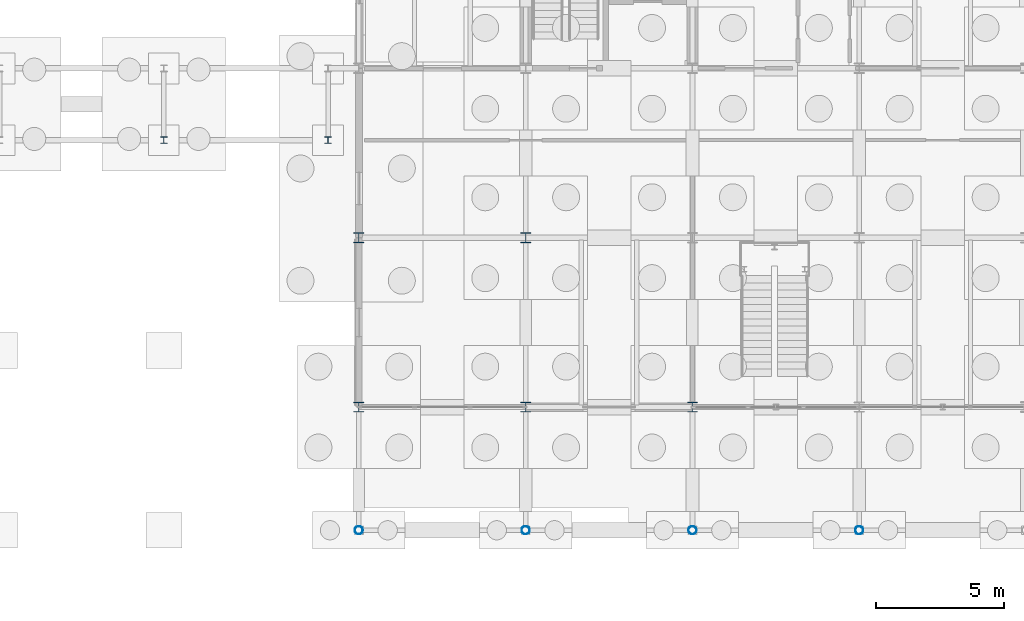
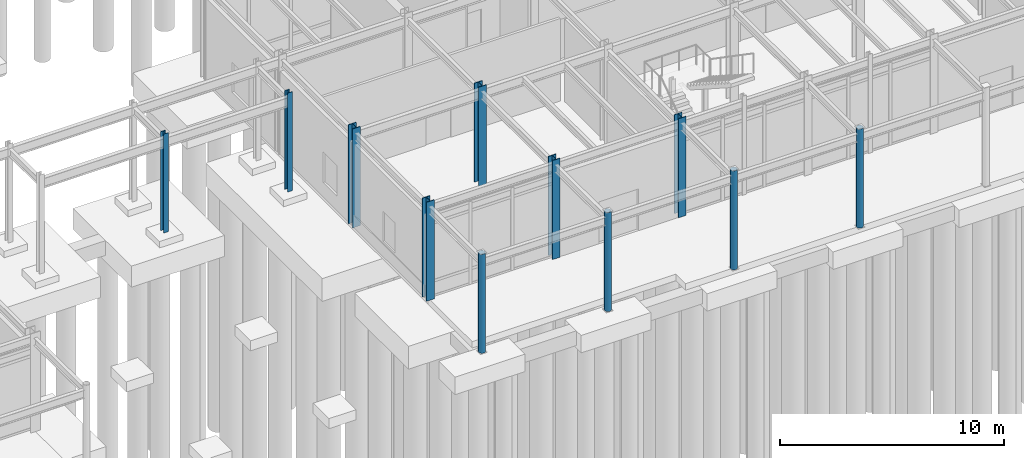
# One storey, part 15 of 82: 11 columns.
"""IFC4 building model written with IfcOpenShell, lengths in metres."""

import ifcopenshell
import ifcopenshell.guid

model = None  # the IFC model being written
_history = None  # IfcOwnerHistory: only IFC2X3 demands one
_inside = {}  # id of a spatial element -> (the spatial element, [elements in it])
_under = {}  # id of a project, library or spatial element -> (it, [spatial elements below it])
_declared = {}  # id of a project -> (the project, [libraries it declares])
_typed = {}  # id of a type object -> (the type object, [elements of that type])
_made_of = {}  # id of a material, layer set ... -> (it, [elements and type objects made of it])


def new_model(schema):
    """Start an empty IFC model of exactly this schema.

    Asked for "IFC4X3", IfcOpenShell would pick the latest addendum, in which some entities
    have other attributes; the version numbers below select the first issue.
    IFC2X3 requires an IfcOwnerHistory on every rooted entity: one is made here for all.
    """
    global model, _history
    if schema == "IFC4X3":
        model = ifcopenshell.file(schema_version=(4, 3, 0, 0))
    else:
        model = ifcopenshell.file(schema=schema)
    _inside.clear()
    _under.clear()
    _declared.clear()
    _typed.clear()
    _made_of.clear()
    _history = None
    if model.schema == "IFC2X3":
        org = make("IfcOrganization", Name="unknown")
        user = make(
            "IfcPersonAndOrganization",
            ThePerson=make("IfcPerson", FamilyName="unknown"),
            TheOrganization=org,
        )
        app = make(
            "IfcApplication",
            ApplicationDeveloper=org,
            Version="unknown",
            ApplicationFullName="unknown",
            ApplicationIdentifier="unknown",
        )
        _history = make(
            "IfcOwnerHistory",
            OwningUser=user,
            OwningApplication=app,
            ChangeAction="ADDED",
            CreationDate=0,
        )
    return model


def make(cls, **values):
    """One entity of the class cls with the attributes given. An attribute that is None is left unset."""
    return model.create_entity(
        cls, **{name: value for name, value in values.items() if value is not None}
    )


def rooted(cls, **values):
    """An entity with a GlobalId (a new one), such as an element, a storey or a relation."""
    return make(cls, GlobalId=ifcopenshell.guid.new(), OwnerHistory=_history, **values)


def si_unit(unit_type, name, prefix=None):
    """IfcSIUnit, for example si_unit("LENGTHUNIT", "METRE", prefix="MILLI")."""
    return make("IfcSIUnit", UnitType=unit_type, Prefix=prefix, Name=name)


def assignment(units):
    """IfcUnitAssignment: the units of a project."""
    return None if units is None else make("IfcUnitAssignment", Units=units)


def point(xyz):
    """IfcCartesianPoint."""
    return None if xyz is None else make("IfcCartesianPoint", Coordinates=xyz)


def direction(xyz):
    """IfcDirection."""
    return None if xyz is None else make("IfcDirection", DirectionRatios=xyz)


def frame(location, z_axis=None, x_axis=None):
    """IfcAxis2Placement3D, a coordinate frame: its origin and axes. An axis left out is left unset."""
    return make(
        "IfcAxis2Placement3D",
        Location=point(location),
        Axis=direction(z_axis),
        RefDirection=direction(x_axis),
    )


def frame_2d(location, x_axis=None):
    """IfcAxis2Placement2D, a coordinate frame in the plane: its origin and x axis."""
    return make(
        "IfcAxis2Placement2D", Location=point(location), RefDirection=direction(x_axis)
    )


def origin():
    """The frame at (0, 0, 0) with its axes left unset."""
    return frame((0.0, 0.0, 0.0))


def origin_2d():
    """The frame at (0, 0) in the plane with its x axis left unset."""
    return frame_2d((0.0, 0.0))


def place(relative_to, where):
    """IfcLocalPlacement: puts the frame where relative to a parent placement (None: the world)."""
    return make(
        "IfcLocalPlacement", PlacementRelTo=relative_to, RelativePlacement=where
    )


def context(
    kind, dimensions, precision=None, world=None, true_north=None, identifier=None
):
    """IfcGeometricRepresentationContext, for example the 3D "Model" context."""
    return make(
        "IfcGeometricRepresentationContext",
        ContextIdentifier=identifier,
        ContextType=kind,
        CoordinateSpaceDimension=dimensions,
        Precision=precision,
        WorldCoordinateSystem=world,
        TrueNorth=true_north,
    )


def subcontext(parent, identifier, kind, view, scale=None):
    """IfcGeometricRepresentationSubContext, for example "Body" below "Model"."""
    return make(
        "IfcGeometricRepresentationSubContext",
        ContextIdentifier=identifier,
        ContextType=kind,
        ParentContext=parent,
        TargetScale=scale,
        TargetView=view,
    )


def project(units=None, contexts=None):
    """IfcProject with its units and contexts."""
    return rooted(
        "IfcProject",
        Name="project",
        RepresentationContexts=contexts,
        UnitsInContext=assignment(units),
    )


def spatial(cls, under=None, at=None, **own):
    """A site, building, storey or space (cls), placed at a placement, below another one or the project."""
    s = rooted(cls, ObjectPlacement=at, **own)
    if under is not None:
        _under.setdefault(under.id(), (under, []))[1].append(s)
    return s


def profile(cls, at=None, kind="AREA", **sizes):
    """A parametric profile (cls). Its sizes go by their IFC names, for example OverallWidth=200.0."""
    return make(cls, ProfileType=kind, Position=at, **sizes)


def hollow_circle(**sizes):
    """IfcCircleHollowProfileDef."""
    return profile("IfcCircleHollowProfileDef", **sizes)


def i_section(**sizes):
    """IfcIShapeProfileDef."""
    return profile("IfcIShapeProfileDef", **sizes)


def extrude(swept, where, along, depth):
    """IfcExtrudedAreaSolid: the profile swept, set in the frame where, extruded along a direction by depth."""
    return make(
        "IfcExtrudedAreaSolid",
        SweptArea=swept,
        Position=where,
        ExtrudedDirection=direction(along),
        Depth=depth,
    )


def shape(context_of_items, identifier, shape_type, items):
    """IfcShapeRepresentation: the items that make up one representation, for example the "Body"."""
    return make(
        "IfcShapeRepresentation",
        ContextOfItems=context_of_items,
        RepresentationIdentifier=identifier,
        RepresentationType=shape_type,
        Items=items,
    )


def material(Name=None, Category=None):
    """IfcMaterial."""
    return make("IfcMaterial", Name=Name, Category=Category)


def material_profile(
    of_material, cross_section, Name=None, Category=None, Priority=None
):
    """IfcMaterialProfile: a cross section and its material."""
    return make(
        "IfcMaterialProfile",
        Name=Name,
        Material=of_material,
        Profile=cross_section,
        Priority=Priority,
        Category=Category,
    )


def profile_set(profiles, Name=None, composite=None):
    """IfcMaterialProfileSet."""
    return make(
        "IfcMaterialProfileSet",
        Name=Name,
        MaterialProfiles=profiles,
        CompositeProfile=composite,
    )


def made_of(thing, what):
    """Note that an element or type object is made of a material, layer set ...; save() writes the relation."""
    if what is not None:
        _made_of.setdefault(what.id(), (what, []))[1].append(thing)
    return thing


def type_object(cls, material=None, **own):
    """A type object (cls), such as IfcWallType, which elements share."""
    return made_of(rooted(cls, **own), material)


def element(
    cls,
    number,
    at=None,
    inside=None,
    cuts=None,
    type_object=None,
    material=None,
    context=None,
    identifier="Body",
    shape_type=None,
    held_by="IfcProductDefinitionShape",
    body=None,
    shapes=None,
    **own,
):
    """One element of the class cls, such as IfcWall. Its Tag is "e" and its number.

    at: its placement. inside: the storey or other place that contains it. cuts: it is an
    opening in that element (IfcRelVoidsElement). A single representation is given by context,
    identifier, shape_type and body (its items); several are given by shapes. held_by: the class
    of the entity that holds the representations. save() writes the other relations.
    """
    e = rooted(cls, Tag="e%d" % number, ObjectPlacement=at, **own)
    if body is not None:
        shapes = [shape(context, identifier, shape_type, body)]
    if shapes is not None:
        e.Representation = make(held_by, Representations=shapes)
    if inside is not None:
        _inside.setdefault(inside.id(), (inside, []))[1].append(e)
    if cuts is not None:
        rooted(
            "IfcRelVoidsElement", RelatingBuildingElement=cuts, RelatedOpeningElement=e
        )
    if type_object is not None:
        _typed.setdefault(type_object.id(), (type_object, []))[1].append(e)
    return made_of(e, material)


def aggregate(whole, parts):
    """IfcRelAggregates: a whole, such as a stair, and the parts it consists of."""
    return rooted("IfcRelAggregates", RelatingObject=whole, RelatedObjects=parts)


def save(model, path):
    """Write the relations noted so far, then the file.

    IfcRelAggregates (storeys below a building ...), IfcRelContainedInSpatialStructure (elements
    in a storey), IfcRelDefinesByType, IfcRelAssociatesMaterial and IfcRelDeclares: one each for
    every whole, place, type object, material and project.
    """
    for whole, parts in _under.values():
        aggregate(whole, parts)
    for where, things in _inside.values():
        rooted(
            "IfcRelContainedInSpatialStructure",
            RelatedElements=things,
            RelatingStructure=where,
        )
    for kind, things in _typed.values():
        rooted("IfcRelDefinesByType", RelatedObjects=things, RelatingType=kind)
    for what, things in _made_of.values():
        rooted("IfcRelAssociatesMaterial", RelatedObjects=things, RelatingMaterial=what)
    for by, libraries in _declared.values():
        rooted("IfcRelDeclares", RelatingContext=by, RelatedDefinitions=libraries)
    model.write(path)


model = new_model("IFC4")

# Units and contexts
model_context = context("Model", 3, precision=1e-05, world=origin(), true_north=direction((0.0, 1.0)))
body_context = subcontext(model_context, "Body", "Model", "MODEL_VIEW")
ifc_project = project(units=[si_unit("LENGTHUNIT", "METRE"), si_unit("AREAUNIT", "SQUARE_METRE"), si_unit("VOLUMEUNIT", "CUBIC_METRE"), si_unit("PLANEANGLEUNIT", "RADIAN"), si_unit("MASSUNIT", "GRAM", prefix="KILO")], contexts=[model_context])

# Site, building, storey
site_placement = place(None, origin())
site = spatial("IfcSite", under=ifc_project, at=site_placement, CompositionType="ELEMENT")
building_placement = place(site_placement, origin())
building = spatial("IfcBuilding", under=site, at=building_placement, Name="Trelmorton Wharf Fire Station", CompositionType="ELEMENT")
storey_placement = place(building_placement, origin())
storey = spatial("IfcBuildingStorey", under=building, at=storey_placement, Name="L00", CompositionType="ELEMENT", Elevation=0.0)

# Columns
ifc_material_1 = material(Name="Steel Grade 350", Category="steel")
ifc_material_profile_1 = material_profile(ifc_material_1, i_section(OverallWidth=0.25390625, OverallDepth=0.25390625, WebThickness=0.008544921875, FlangeThickness=0.01416015625, FilletRadius=0.0126953125, at=origin_2d()), Name="250UC72.9")
ifc_profile_set_1 = profile_set([ifc_material_profile_1], Name="Steel Grade 350")
column_type_1 = type_object("IfcColumnType", Name="COL_250UC73", PredefinedType="COLUMN", material=ifc_profile_set_1)
for number, where, z_axis, x_axis, name in (
    (1, (96.39990234375, 18.199951171875, 0.0), (0.0, 0.0, 1.0), (1.0, 0.0, 0.0), "COL-L00-0142"),
    (2, (102.800048828125, 18.199951171875, 0.0), (0.0, 0.0, 1.0), (1.0, 0.0, 0.0), "COL-L00-0144"),
):
    element("IfcColumn", number, at=place(storey_placement, frame(where, z_axis=z_axis, x_axis=x_axis)), inside=storey, type_object=column_type_1, Name=name, PredefinedType="COLUMN", context=body_context, shape_type="SweptSolid", body=[
        extrude(i_section(OverallWidth=0.25390625, OverallDepth=0.25390625, WebThickness=0.008544921875, FlangeThickness=0.01416015625, FilletRadius=0.0126953125, at=origin_2d()), origin(), (0.0, 0.0, 1.0), 5.39990234375),
    ])
ifc_material_profile_2 = material_profile(ifc_material_1, i_section(OverallWidth=0.39990234375, OverallDepth=0.39990234375, WebThickness=0.02001953125, FlangeThickness=0.031982421875, at=origin_2d()), Name="400WC270")
ifc_profile_set_2 = profile_set([ifc_material_profile_2], Name="Steel Grade 350")
column_type_2 = type_object("IfcColumnType", Name="COL_400WC270", PredefinedType="COLUMN", material=ifc_profile_set_2)
for number, where, z_axis, x_axis, name in (
    (3, (104.0, 7.800048828125, 0.0), (0.0, 0.0, 1.0), (1.0, 0.0, 0.0), "COL-L00-0147"),
    (4, (104.0, 14.39990234375, 0.0), (0.0, 0.0, 1.0), (1.0, 0.0, 0.0), "COL-L00-0148"),
    (5, (110.5, 7.800048828125, 0.0), (0.0, 0.0, 1.0), (1.0, 0.0, 0.0), "COL-L00-0157"),
    (6, (110.5, 14.39990234375, 0.0), (0.0, 0.0, 1.0), (1.0, 0.0, 0.0), "COL-L00-0158"),
    (7, (117.0, 7.800048828125, 0.0), (0.0, 0.0, 1.0), (1.0, 0.0, 0.0), "COL-L00-0167"),
):
    element("IfcColumn", number, at=place(storey_placement, frame(where, z_axis=z_axis, x_axis=x_axis)), inside=storey, type_object=column_type_2, Name=name, PredefinedType="COLUMN", context=body_context, shape_type="SweptSolid", body=[
        extrude(i_section(OverallWidth=0.39990234375, OverallDepth=0.39990234375, WebThickness=0.02001953125, FlangeThickness=0.031982421875, at=origin_2d()), origin(), (0.0, 0.0, 1.0), 5.39990234375),
    ])
ifc_material_2 = material(Name="Steel C450L0 (450 MPa)", Category="steel")
ifc_material_profile_3 = material_profile(ifc_material_2, hollow_circle(Radius=0.161865234375, WallThickness=0.0126953125, at=origin_2d()), Name="323.9x12.7CHS")
ifc_profile_set_3 = profile_set([ifc_material_profile_3], Name="Steel C450L0 (450 MPa)")
column_type_3 = type_object("IfcColumnType", Name="COL_CHS324", PredefinedType="COLUMN", material=ifc_profile_set_3)
for number, where, z_axis, x_axis, name in (
    (8, (104.0, 3.0, 0.0), (0.0, 0.0, 1.0), (1.0, 0.0, 0.0), "COL-L00-0146"),
    (9, (110.5, 3.0, 0.0), (0.0, 0.0, 1.0), (1.0, 0.0, 0.0), "COL-L00-0156"),
    (10, (117.0, 3.0, 0.0), (0.0, 0.0, 1.0), (1.0, 0.0, 0.0), "COL-L00-0166"),
    (11, (123.5, 3.0, 0.0), (0.0, 0.0, 1.0), (1.0, 0.0, 0.0), "COL-L00-0182"),
):
    element("IfcColumn", number, at=place(storey_placement, frame(where, z_axis=z_axis, x_axis=x_axis)), inside=storey, type_object=column_type_3, Name=name, PredefinedType="COLUMN", context=body_context, shape_type="SweptSolid", body=[
        extrude(hollow_circle(Radius=0.161865234375, WallThickness=0.0126953125, at=origin_2d()), origin(), (0.0, 0.0, 1.0), 5.39990234375),
    ])

save(model, "model.ifc")
